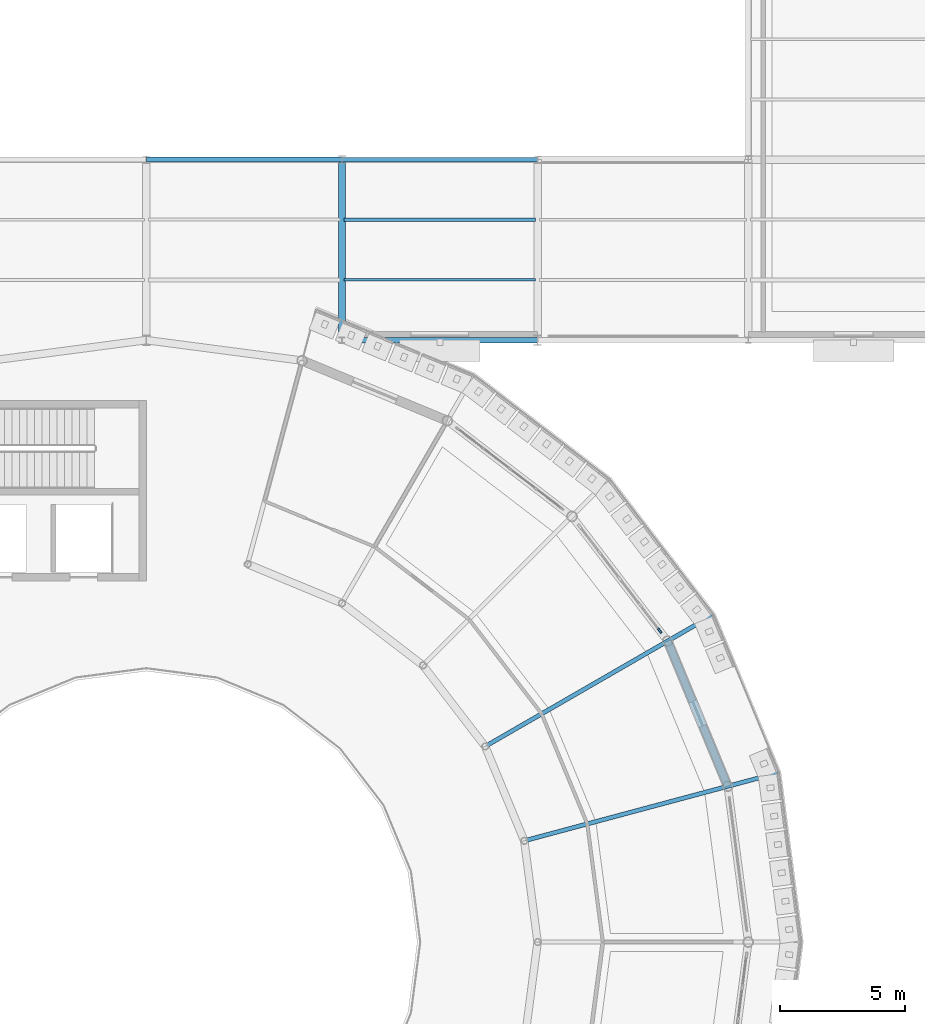
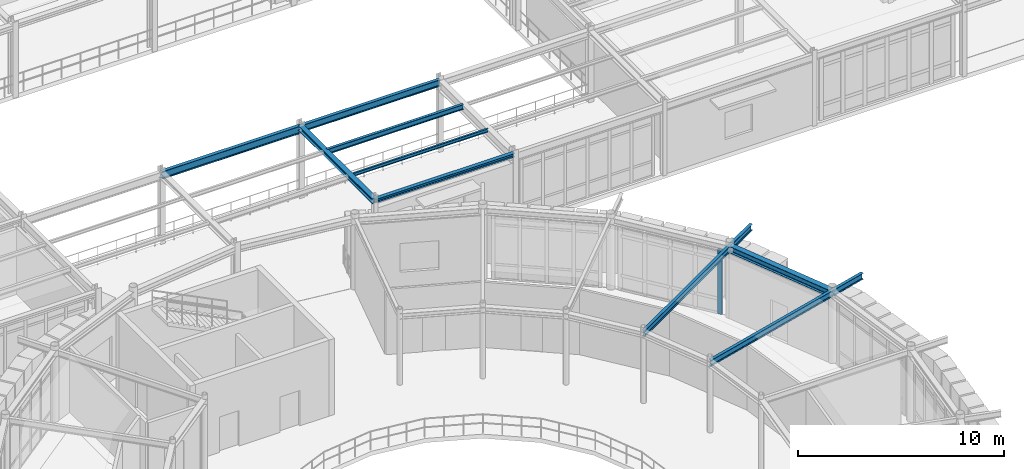
# One storey, part 56 of 106: 9 beams, 1 member, 1 element without a shape of its own.
"""IFC4 building model written with IfcOpenShell, lengths in metres."""

from ifc_helpers import new_model, si_unit, derived_unit, direction, frame, origin, origin_2d, place, context, subcontext, project, spatial, rectangle, i_section, extrude, material, layer, layer_set, material_profile, profile_set, type_object, element, aggregate, save


model = new_model("IFC4")

# Units and contexts
model_context = context("Model", 3, precision=1e-05, world=origin(), true_north=direction((0.0, 1.0)))
body_context = subcontext(model_context, "Body", "Model", "MODEL_VIEW")
ifc_project = project(units=[si_unit("LENGTHUNIT", "METRE"), si_unit("AREAUNIT", "SQUARE_METRE"), si_unit("VOLUMEUNIT", "CUBIC_METRE"), si_unit("PLANEANGLEUNIT", "RADIAN"), si_unit("MASSUNIT", "GRAM", prefix="KILO"), derived_unit("THERMALTRANSMITTANCEUNIT", [(si_unit("POWERUNIT", "WATT"), 1), (si_unit("AREAUNIT", "SQUARE_METRE"), -1), (si_unit("THERMODYNAMICTEMPERATUREUNIT", "KELVIN"), -1)])], contexts=[model_context])

# Site, building, storey
site_placement = place(None, origin())
site = spatial("IfcSite", under=ifc_project, at=site_placement, CompositionType="ELEMENT")
building_placement = place(site_placement, origin())
building = spatial("IfcBuilding", under=site, at=building_placement, Name="Yasenodar Specialist Clinic", CompositionType="ELEMENT")
storey_placement = place(building_placement, frame((0.0, 0.0, 4.5)))
storey = spatial("IfcBuildingStorey", under=building, at=storey_placement, Name="L01", CompositionType="ELEMENT", Elevation=4.5)

# Beams
ifc_material_1 = material(Name="Steel S355", Category="steel")
ifc_material_profile_1 = material_profile(ifc_material_1, i_section(OverallWidth=0.219970703125, OverallDepth=0.2099609375, WebThickness=0.007080078125, FlangeThickness=0.010986328125, FilletRadius=0.01806640625, at=origin_2d()), Name="HEA 220")
ifc_profile_set_1 = profile_set([ifc_material_profile_1], Name="Steel S355")
beam_type_1 = type_object("IfcBeamType", Name="BM-HEA220", PredefinedType="BEAM", material=ifc_profile_set_1)
beam_1_placement = place(storey_placement, frame((88.800048828125, 82.800048828125, 4.14501953125), z_axis=(1.0, 0.0, 0.0), x_axis=(0.0, 1.0, 0.0)))
element("IfcBeam", 1, at=beam_1_placement, inside=storey, type_object=beam_type_1, Name="L01 Primary E-W Girder", PredefinedType="BEAM", context=body_context, shape_type="SweptSolid", body=[
    extrude(i_section(OverallWidth=0.219970703125, OverallDepth=0.2099609375, WebThickness=0.007080078125, FlangeThickness=0.010986328125, FilletRadius=0.01806640625, at=origin_2d()), origin(), (0.0, 0.0, 1.0), 7.800048828125),
])
ifc_material_profile_2 = material_profile(ifc_material_1, i_section(OverallWidth=0.300048828125, OverallDepth=0.389892578125, WebThickness=0.010986328125, FlangeThickness=0.01904296875, FilletRadius=0.027099609375, at=origin_2d()), Name="HEA 400")
ifc_profile_set_2 = profile_set([ifc_material_profile_2], Name="Steel S355")
beam_type_2 = type_object("IfcBeamType", Name="BM-HEA400", PredefinedType="BEAM", material=ifc_profile_set_2)
beam_2_placement = place(storey_placement, frame((104.18212890625, 65.01171875, 4.054931640625), z_axis=(-0.382663829839, 0.9238876519, 0.0), x_axis=(-0.9238876519, -0.382663829839, 0.0)))
element("IfcBeam", 2, at=beam_2_placement, inside=storey, type_object=beam_type_2, Name="L01 Drum V1 Perimeter Ring Beam", PredefinedType="BEAM", context=body_context, shape_type="SweptSolid", body=[
    extrude(i_section(OverallWidth=0.300048828125, OverallDepth=0.389892578125, WebThickness=0.010986328125, FlangeThickness=0.01904296875, FilletRadius=0.027099609375, at=origin_2d()), origin(), (0.0, 0.0, 1.0), 6.26513671875),
])
ifc_material_profile_3 = material_profile(ifc_material_1, i_section(OverallWidth=0.280029296875, OverallDepth=0.280029296875, WebThickness=0.010498046875, FlangeThickness=0.01806640625, FilletRadius=0.02392578125, at=origin_2d()), Name="HEB 280")
ifc_profile_set_3 = profile_set([ifc_material_profile_3], Name="Steel S355")
beam_type_3 = type_object("IfcBeamType", Name="BM-HEB280", PredefinedType="BEAM", material=ifc_profile_set_3)
beam_3_placement = place(storey_placement, frame((88.800048828125, 82.800048828125, 4.110107421875), z_axis=(0.0, 1.0, 0.0), x_axis=(-1.0, 0.0, 0.0)))
element("IfcBeam", 3, at=beam_3_placement, inside=storey, type_object=beam_type_3, Name="L01 Primary N-S Girder", PredefinedType="BEAM", context=body_context, shape_type="SweptSolid", body=[
    extrude(i_section(OverallWidth=0.280029296875, OverallDepth=0.280029296875, WebThickness=0.010498046875, FlangeThickness=0.01806640625, FilletRadius=0.02392578125, at=origin_2d()), origin(), (0.0, 0.0, 1.0), 7.199951171875),
])
ifc_material_profile_4 = material_profile(ifc_material_1, i_section(OverallWidth=0.169921875, OverallDepth=0.360107421875, WebThickness=0.008056640625, FlangeThickness=0.0126953125, FilletRadius=0.01806640625, at=origin_2d()), Name="IPE 360")
ifc_profile_set_4 = profile_set([ifc_material_profile_4], Name="Steel S355")
beam_type_4 = type_object("IfcBeamType", Name="BM-IPE360", PredefinedType="BEAM", material=ifc_profile_set_4)
for number, where, z_axis, x_axis, name in (
    (4, (96.068359375, 62.837646484375, 4.070068359375), (0.965927925162, 0.258811211874, 0.0), (-0.258811211874, 0.965927925162, 0.0), "L01 Drum V1 Radial Back-Spanned Cantilever Beam"),
    (5, (94.510009765625, 66.60009765625, 4.070068359375), (0.866033467715, 0.499986032603, 0.0), (-0.499986032603, 0.866033467715, 0.0), "L01 Drum V1 Radial Back-Spanned Cantilever Beam"),
):
    element("IfcBeam", number, at=place(storey_placement, frame(where, z_axis=z_axis, x_axis=x_axis)), inside=storey, type_object=beam_type_4, Name=name, PredefinedType="BEAM", context=body_context, shape_type="SweptSolid", body=[
        extrude(i_section(OverallWidth=0.169921875, OverallDepth=0.360107421875, WebThickness=0.008056640625, FlangeThickness=0.0126953125, FilletRadius=0.01806640625, at=origin_2d()), origin(), (0.0, 0.0, 1.0), 10.449951171875),
    ])
ifc_material_profile_5 = material_profile(ifc_material_1, i_section(OverallWidth=0.179931640625, OverallDepth=0.39990234375, WebThickness=0.008544921875, FlangeThickness=0.013427734375, FilletRadius=0.02099609375, at=origin_2d()), Name="IPE 400")
ifc_profile_set_5 = profile_set([ifc_material_profile_5], Name="Steel S355")
beam_type_5 = type_object("IfcBeamType", Name="BM-IPE400", PredefinedType="BEAM", material=ifc_profile_set_5)
beam_4_placement = place(storey_placement, frame((88.800048828125, 90.0, 4.050048828125), z_axis=(1.0, 0.0, 0.0), x_axis=(0.0, 1.0, 0.0)))
element("IfcBeam", 6, at=beam_4_placement, inside=storey, type_object=beam_type_5, Name="L01 Primary E-W Girder", PredefinedType="BEAM", context=body_context, shape_type="SweptSolid", body=[
    extrude(i_section(OverallWidth=0.179931640625, OverallDepth=0.39990234375, WebThickness=0.008544921875, FlangeThickness=0.013427734375, FilletRadius=0.02099609375, at=origin_2d()), origin(), (0.0, 0.0, 1.0), 7.800048828125),
])
ifc_material_profile_6 = material_profile(ifc_material_1, i_section(OverallWidth=0.18994140625, OverallDepth=0.449951171875, WebThickness=0.009521484375, FlangeThickness=0.0146484375, FilletRadius=0.02099609375, at=origin_2d()), Name="IPE 450")
ifc_profile_set_6 = profile_set([ifc_material_profile_6], Name="Steel S355")
beam_type_6 = type_object("IfcBeamType", Name="BM-IPE450", PredefinedType="BEAM", material=ifc_profile_set_6)
beam_5_placement = place(storey_placement, frame((81.0, 90.0, 4.02490234375), z_axis=(1.0, 0.0, 0.0), x_axis=(0.0, 1.0, 0.0)))
element("IfcBeam", 7, at=beam_5_placement, inside=storey, type_object=beam_type_6, Name="L01 Primary E-W Girder", PredefinedType="BEAM", context=body_context, shape_type="SweptSolid", body=[
    extrude(i_section(OverallWidth=0.18994140625, OverallDepth=0.449951171875, WebThickness=0.009521484375, FlangeThickness=0.0146484375, FilletRadius=0.02099609375, at=origin_2d()), origin(), (0.0, 0.0, 1.0), 7.800048828125),
])

# Curtain wall, member
ifc_material_2 = material(Name="Bronze Anodized Aluminium and Triple Low-E Glass", Category="aluminium")
ifc_layer = layer(ifc_material_2, 0.1669921875)
ifc_layer_set = layer_set([ifc_layer], Name="Bronze Anodized Aluminium and Triple Low-E Glass")
curtain_wall_type = type_object("IfcCurtainWallType", Name="CW-SYS-01", PredefinedType="USERDEFINED", material=ifc_layer_set)
curtain_wall_placement = place(storey_placement, origin())
curtain_wall = element("IfcCurtainWall", 8, at=curtain_wall_placement, inside=storey, type_object=curtain_wall_type, Name="L01 Unitised Curtain Wall 015", ObjectType="UNITISED CURTAIN WALL", PredefinedType="USERDEFINED")
ifc_material_3 = material(Name="Bronze Anodized Aluminium", Category="aluminium")
ifc_material_profile_7 = material_profile(ifc_material_3, rectangle(XDim=0.074951171875, YDim=0.22509765625, at=origin_2d()), Name="CW-MULL 75x225")
ifc_profile_set_7 = profile_set([ifc_material_profile_7], Name="Bronze Anodized Aluminium")
member_type = type_object("IfcMemberType", Name="CW-MULL-225", PredefinedType="MULLION", material=ifc_profile_set_7)
member_placement = place(storey_placement, frame((101.469482421875, 71.21044921875, 0.0), z_axis=(0.0, 0.0, 1.0), x_axis=(0.793360558574, 0.608752021844, 0.0)))
member = element("IfcMember", 9, at=member_placement, type_object=member_type, Name="CW-01 mullion 5", PredefinedType="MULLION", context=body_context, shape_type="SweptSolid", body=[
    extrude(rectangle(XDim=0.074951171875, YDim=0.22509765625, at=origin_2d()), origin(), (0.0, 0.0, 1.0), 3.837890625),
])
aggregate(curtain_wall, [member])

# Beams
ifc_material_profile_8 = material_profile(ifc_material_1, i_section(OverallWidth=0.10009765625, OverallDepth=0.199951171875, WebThickness=0.005615234375, FlangeThickness=0.008544921875, FilletRadius=0.011962890625, at=origin_2d()), Name="IPE 200")
ifc_profile_set_8 = profile_set([ifc_material_profile_8], Name="Steel S355")
beam_type_7 = type_object("IfcBeamType", Name="JS-IPE200", PredefinedType="JOIST", material=ifc_profile_set_8)
beam_6_placement = place(storey_placement, frame((88.8798828125, 85.199951171875, 4.14990234375), z_axis=(1.0, 0.0, 0.0), x_axis=(0.0, 1.0, 0.0)))
element("IfcBeam", 10, at=beam_6_placement, inside=storey, type_object=beam_type_7, Name="L01 Composite Floor Joist", PredefinedType="JOIST", context=body_context, shape_type="SweptSolid", body=[
    extrude(i_section(OverallWidth=0.10009765625, OverallDepth=0.199951171875, WebThickness=0.005615234375, FlangeThickness=0.008544921875, FilletRadius=0.011962890625, at=origin_2d()), origin(), (0.0, 0.0, 1.0), 7.64013671875),
])
ifc_material_profile_9 = material_profile(ifc_material_1, i_section(OverallWidth=0.14990234375, OverallDepth=0.300048828125, WebThickness=0.007080078125, FlangeThickness=0.0107421875, FilletRadius=0.014892578125, at=origin_2d()), Name="IPE 300")
ifc_profile_set_9 = profile_set([ifc_material_profile_9], Name="Steel S355")
beam_type_8 = type_object("IfcBeamType", Name="JS-IPE300", PredefinedType="JOIST", material=ifc_profile_set_9)
beam_7_placement = place(storey_placement, frame((88.8798828125, 87.60009765625, 4.10009765625), z_axis=(1.0, 0.0, 0.0), x_axis=(0.0, 1.0, 0.0)))
element("IfcBeam", 11, at=beam_7_placement, inside=storey, type_object=beam_type_8, Name="L01 Composite Floor Joist", PredefinedType="JOIST", context=body_context, shape_type="SweptSolid", body=[
    extrude(i_section(OverallWidth=0.14990234375, OverallDepth=0.300048828125, WebThickness=0.007080078125, FlangeThickness=0.0107421875, FilletRadius=0.014892578125, at=origin_2d()), origin(), (0.0, 0.0, 1.0), 7.64013671875),
])

save(model, "model.ifc")
